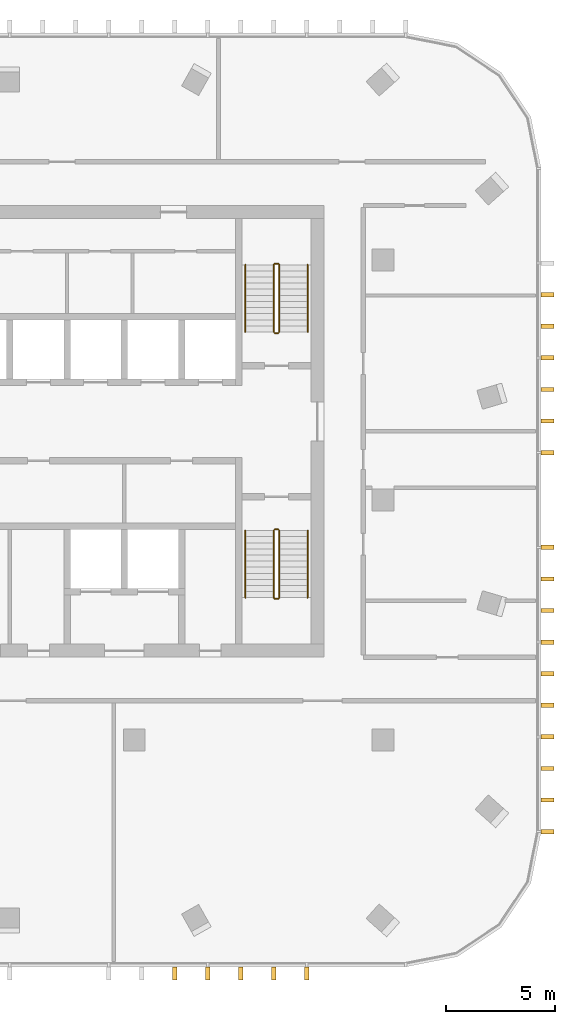
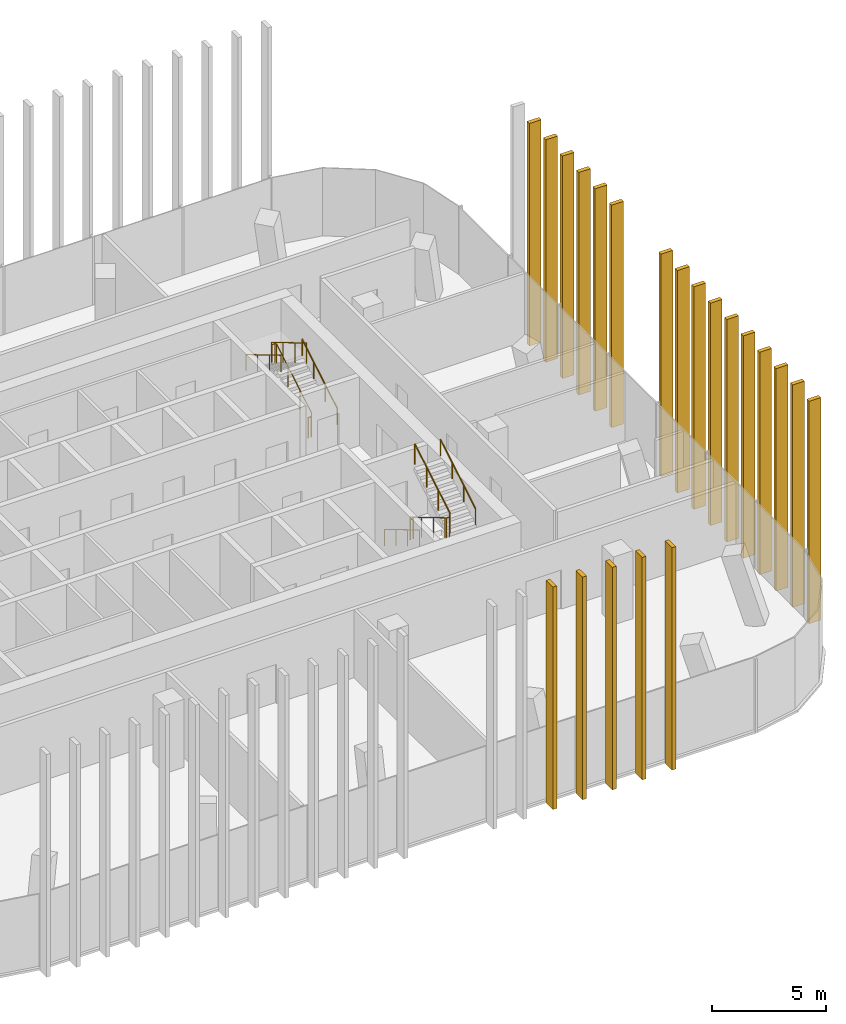
# One storey, part 12 of 13: 21 shading devices, 10 railings.
"""IFC4 building model written with IfcOpenShell, lengths in metres."""

from ifc_helpers import new_model, si_unit, direction, frame, origin, origin_2d, place, context, subcontext, project, spatial, rectangle, circle, extrude, material, type_object, element, save


model = new_model("IFC4")

# Units and contexts
model_context = context("Model", 3, precision=1e-05, world=origin(), true_north=direction((0.0, 1.0)))
body_context = subcontext(model_context, "Body", "Model", "MODEL_VIEW")
ifc_project = project(units=[si_unit("LENGTHUNIT", "METRE"), si_unit("AREAUNIT", "SQUARE_METRE"), si_unit("VOLUMEUNIT", "CUBIC_METRE"), si_unit("PLANEANGLEUNIT", "RADIAN"), si_unit("MASSUNIT", "GRAM", prefix="KILO")], contexts=[model_context])

# Site, building, storey
site_placement = place(None, origin())
site = spatial("IfcSite", under=ifc_project, at=site_placement, CompositionType="ELEMENT")
building_placement = place(site_placement, origin())
building = spatial("IfcBuilding", under=site, at=building_placement, Name="Mopane Tessera Tower", CompositionType="ELEMENT")
storey_placement = place(building_placement, frame((0.0, 0.0, 345.39990234375)))
storey = spatial("IfcBuildingStorey", under=building, at=storey_placement, Name="L75", CompositionType="ELEMENT", Elevation=345.39990234375)

# Shading devices
ifc_material_1 = material(Name="Glazed ceramic tile")
shading_device_type = type_object("IfcShadingDeviceType", Name="Ceramic tile fin 600 x 200 mm", PredefinedType="USERDEFINED", material=ifc_material_1)
for number, where, z_axis, x_axis, name in (
    (1, (7.5625, -21.699951171875, -0.35009765625), (0.0, 0.0, 1.0), (1.0, 0.0, 0.0), "e:fin:L75:S:5:2"),
    (2, (9.074951171875, -21.699951171875, -0.35009765625), (0.0, 0.0, 1.0), (1.0, 0.0, 0.0), "e:fin:L75:S:6:0"),
    (3, (10.58740234375, -21.699951171875, -0.35009765625), (0.0, 0.0, 1.0), (1.0, 0.0, 0.0), "e:fin:L75:S:6:1"),
    (4, (12.10009765625, -21.699951171875, -0.35009765625), (0.0, 0.0, 1.0), (1.0, 0.0, 0.0), "e:fin:L75:S:6:2"),
    (5, (13.612548828125, -21.699951171875, -0.35009765625), (0.0, 0.0, 1.0), (1.0, 0.0, 0.0), "e:fin:L75:S:6:3"),
    (6, (24.64990234375, -15.199951171875, -0.35009765625), (0.0, 0.0, 1.0), (0.0, 1.0, 0.0), "e:fin:L75:E:0:0"),
    (7, (24.64990234375, -13.75244140625, -0.35009765625), (0.0, 0.0, 1.0), (0.0, 1.0, 0.0), "e:fin:L75:E:0:1"),
    (8, (24.64990234375, -12.3046875, -0.35009765625), (0.0, 0.0, 1.0), (0.0, 1.0, 0.0), "e:fin:L75:E:0:2"),
    (9, (24.64990234375, -10.857177734375, -0.35009765625), (0.0, 0.0, 1.0), (0.0, 1.0, 0.0), "e:fin:L75:E:1:0"),
    (10, (24.64990234375, -9.409423828125, -0.35009765625), (0.0, 0.0, 1.0), (0.0, 1.0, 0.0), "e:fin:L75:E:1:1"),
    (11, (24.64990234375, -7.9619140625, -0.35009765625), (0.0, 0.0, 1.0), (0.0, 1.0, 0.0), "e:fin:L75:E:1:2"),
    (12, (24.64990234375, -6.514404296875, -0.35009765625), (0.0, 0.0, 1.0), (0.0, 1.0, 0.0), "e:fin:L75:E:2:0"),
    (13, (24.64990234375, -5.066650390625, -0.35009765625), (0.0, 0.0, 1.0), (0.0, 1.0, 0.0), "e:fin:L75:E:2:1"),
    (14, (24.64990234375, -3.619140625, -0.35009765625), (0.0, 0.0, 1.0), (0.0, 1.0, 0.0), "e:fin:L75:E:2:2"),
    (15, (24.64990234375, -2.17138671875, -0.35009765625), (0.0, 0.0, 1.0), (0.0, 1.0, 0.0), "e:fin:L75:E:2:3"),
    (16, (24.64990234375, 2.17138671875, -0.35009765625), (0.0, 0.0, 1.0), (0.0, 1.0, 0.0), "e:fin:L75:E:4:0"),
    (17, (24.64990234375, 3.619140625, -0.35009765625), (0.0, 0.0, 1.0), (0.0, 1.0, 0.0), "e:fin:L75:E:4:1"),
    (18, (24.64990234375, 5.066650390625, -0.35009765625), (0.0, 0.0, 1.0), (0.0, 1.0, 0.0), "e:fin:L75:E:4:2"),
    (19, (24.64990234375, 6.514404296875, -0.35009765625), (0.0, 0.0, 1.0), (0.0, 1.0, 0.0), "e:fin:L75:E:5:0"),
    (20, (24.64990234375, 7.9619140625, -0.35009765625), (0.0, 0.0, 1.0), (0.0, 1.0, 0.0), "e:fin:L75:E:5:1"),
    (21, (24.64990234375, 9.409423828125, -0.35009765625), (0.0, 0.0, 1.0), (0.0, 1.0, 0.0), "e:fin:L75:E:5:2"),
):
    element("IfcShadingDevice", number, at=place(storey_placement, frame(where, z_axis=z_axis, x_axis=x_axis)), inside=storey, type_object=shading_device_type, Name=name, ObjectType="FIN", PredefinedType="USERDEFINED", context=body_context, shape_type="SweptSolid", body=[
        extrude(rectangle(XDim=0.199951171875, YDim=0.60009765625, at=origin_2d()), origin(), (0.0, 0.0, 1.0), 11.949951171875),
    ])

# Railings
ifc_material_2 = material(Name="Powder-coated steel balustrade", Category="steel")
railing_type_1 = type_object("IfcRailingType", Name="Escape stair guard 1100 mm", PredefinedType="GUARDRAIL", material=ifc_material_2)
railing_1_placement = place(storey_placement, frame((12.10009765625, -1.39990234375, 0.166748046875)))
element("IfcRailing", 22, at=railing_1_placement, inside=storey, type_object=railing_type_1, Name="L75 ST3 stair guard 1", PredefinedType="GUARDRAIL", context=body_context, shape_type="SweptSolid", body=[
    extrude(circle(Radius=0.02392578125, at=origin_2d()), frame((0.0, 0.0, 1.076171875), z_axis=(0.0, -0.859308565015, 0.511457515432), x_axis=(1.0, 0.0, 0.0)), (0.0, 0.0, 1.0), 3.58447265625),
    extrude(circle(Radius=0.02392578125, at=origin_2d()), frame((0.0, -3.080078125, 2.9091796875), z_axis=(0.705375805398, -0.708833529934, 0.0), x_axis=(0.708833529934, 0.705375805398, 0.0)), (0.0, 0.0, 1.0), 0.070556640625),
    extrude(circle(Radius=0.02392578125, at=origin_2d()), frame((0.0498046875, -3.130126953125, 2.9091796875), z_axis=(1.0, 0.0, 0.0), x_axis=(0.0, 1.0, 0.0)), (0.0, 0.0, 1.0), 0.150146484375),
    extrude(circle(Radius=0.02099609375, at=origin_2d()), origin(), (0.0, 0.0, 1.0), 1.052001953125),
    extrude(circle(Radius=0.02099609375, at=origin_2d()), frame((0.0, -1.026611328125, 0.611083984375)), (0.0, 0.0, 1.0), 1.052001953125),
    extrude(circle(Radius=0.02099609375, at=origin_2d()), frame((0.0, -2.053466796875, 1.22216796875)), (0.0, 0.0, 1.0), 1.052001953125),
    extrude(circle(Radius=0.02099609375, at=origin_2d()), frame((0.0, -3.080078125, 1.833251953125)), (0.0, 0.0, 1.0), 1.052001953125),
    extrude(circle(Radius=0.02099609375, at=origin_2d()), frame((0.0498046875, -3.130126953125, 1.833251953125)), (0.0, 0.0, 1.0), 1.052001953125),
    extrude(circle(Radius=0.02099609375, at=origin_2d()), frame((0.199951171875, -3.130126953125, 1.833251953125)), (0.0, 0.0, 1.0), 1.052001953125),
])
railing_2_placement = place(storey_placement, frame((12.35009765625, -4.47998046875, 2.166748046875)))
element("IfcRailing", 23, at=railing_2_placement, inside=storey, type_object=railing_type_1, Name="L75 ST3 stair guard 2", PredefinedType="GUARDRAIL", context=body_context, shape_type="SweptSolid", body=[
    extrude(circle(Radius=0.02392578125, at=origin_2d()), frame((0.0, 0.0, 1.076171875), z_axis=(0.0, 0.859308565015, 0.511457515432), x_axis=(-1.0, 0.0, 0.0)), (0.0, 0.0, 1.0), 3.58447265625),
    extrude(circle(Radius=0.02099609375, at=origin_2d()), origin(), (0.0, 0.0, 1.0), 1.052001953125),
    extrude(circle(Radius=0.02099609375, at=origin_2d()), frame((0.0, 1.026611328125, 0.611083984375)), (0.0, 0.0, 1.0), 1.052001953125),
    extrude(circle(Radius=0.02099609375, at=origin_2d()), frame((0.0, 2.053466796875, 1.22216796875)), (0.0, 0.0, 1.0), 1.052001953125),
    extrude(circle(Radius=0.02099609375, at=origin_2d()), frame((0.0, 3.080078125, 1.833251953125)), (0.0, 0.0, 1.0), 1.052001953125),
])
railing_3_placement = place(storey_placement, frame((12.14990234375, -1.35009765625, 0.0)))
element("IfcRailing", 24, at=railing_3_placement, inside=storey, type_object=railing_type_1, Name="L75 ST3 stair guard 3", PredefinedType="GUARDRAIL", context=body_context, shape_type="SweptSolid", body=[
    extrude(circle(Radius=0.02392578125, at=origin_2d()), frame((0.0, 0.0, 1.076171875), z_axis=(1.0, 0.0, 0.0), x_axis=(0.0, 1.0, 0.0)), (0.0, 0.0, 1.0), 0.150146484375),
    extrude(circle(Radius=0.02099609375, at=origin_2d()), origin(), (0.0, 0.0, 1.0), 1.052001953125),
    extrude(circle(Radius=0.02099609375, at=origin_2d()), frame((0.150146484375, 0.0, 0.0)), (0.0, 0.0, 1.0), 1.052001953125),
])
railing_4_placement = place(storey_placement, frame((12.35009765625, 7.699951171875, 0.166748046875)))
element("IfcRailing", 25, at=railing_4_placement, inside=storey, type_object=railing_type_1, Name="L75 ST4 stair guard 1", PredefinedType="GUARDRAIL", context=body_context, shape_type="SweptSolid", body=[
    extrude(circle(Radius=0.02392578125, at=origin_2d()), frame((0.0, 0.0, 1.076171875), z_axis=(0.0, 0.859308565015, 0.511457515432), x_axis=(-1.0, 0.0, 0.0)), (0.0, 0.0, 1.0), 3.58447265625),
    extrude(circle(Radius=0.02392578125, at=origin_2d()), frame((0.0, 3.080078125, 2.9091796875), z_axis=(-0.707106781187, 0.707106781187, 0.0), x_axis=(-0.707106781187, -0.707106781187, 0.0)), (0.0, 0.0, 1.0), 0.07080078125),
    extrude(circle(Radius=0.02392578125, at=origin_2d()), frame((-0.050048828125, 3.130126953125, 2.9091796875), z_axis=(-1.0, 0.0, 0.0), x_axis=(0.0, -1.0, 0.0)), (0.0, 0.0, 1.0), 0.150146484375),
    extrude(circle(Radius=0.02099609375, at=origin_2d()), origin(), (0.0, 0.0, 1.0), 1.052001953125),
    extrude(circle(Radius=0.02099609375, at=origin_2d()), frame((0.0, 1.026611328125, 0.611083984375)), (0.0, 0.0, 1.0), 1.052001953125),
    extrude(circle(Radius=0.02099609375, at=origin_2d()), frame((0.0, 2.053466796875, 1.22216796875)), (0.0, 0.0, 1.0), 1.052001953125),
    extrude(circle(Radius=0.02099609375, at=origin_2d()), frame((0.0, 3.080078125, 1.833251953125)), (0.0, 0.0, 1.0), 1.052001953125),
    extrude(circle(Radius=0.02099609375, at=origin_2d()), frame((-0.050048828125, 3.130126953125, 1.833251953125)), (0.0, 0.0, 1.0), 1.052001953125),
    extrude(circle(Radius=0.02099609375, at=origin_2d()), frame((-0.2001953125, 3.130126953125, 1.833251953125)), (0.0, 0.0, 1.0), 1.052001953125),
])
railing_5_placement = place(storey_placement, frame((12.10009765625, 10.780029296875, 2.166748046875)))
element("IfcRailing", 26, at=railing_5_placement, inside=storey, type_object=railing_type_1, Name="L75 ST4 stair guard 2", PredefinedType="GUARDRAIL", context=body_context, shape_type="SweptSolid", body=[
    extrude(circle(Radius=0.02392578125, at=origin_2d()), frame((0.0, 0.0, 1.076171875), z_axis=(0.0, -0.859308565015, 0.511457515432), x_axis=(1.0, 0.0, 0.0)), (0.0, 0.0, 1.0), 3.58447265625),
    extrude(circle(Radius=0.02099609375, at=origin_2d()), origin(), (0.0, 0.0, 1.0), 1.052001953125),
    extrude(circle(Radius=0.02099609375, at=origin_2d()), frame((0.0, -1.026611328125, 0.611083984375)), (0.0, 0.0, 1.0), 1.052001953125),
    extrude(circle(Radius=0.02099609375, at=origin_2d()), frame((0.0, -2.053466796875, 1.22216796875)), (0.0, 0.0, 1.0), 1.052001953125),
    extrude(circle(Radius=0.02099609375, at=origin_2d()), frame((0.0, -3.080078125, 1.833251953125)), (0.0, 0.0, 1.0), 1.052001953125),
])
railing_6_placement = place(storey_placement, frame((12.300048828125, 7.64990234375, 0.0)))
element("IfcRailing", 27, at=railing_6_placement, inside=storey, type_object=railing_type_1, Name="L75 ST4 stair guard 3", PredefinedType="GUARDRAIL", context=body_context, shape_type="SweptSolid", body=[
    extrude(circle(Radius=0.02392578125, at=origin_2d()), frame((0.0, 0.0, 1.076171875), z_axis=(-1.0, 0.0, 0.0), x_axis=(0.0, -1.0, 0.0)), (0.0, 0.0, 1.0), 0.150146484375),
    extrude(circle(Radius=0.02099609375, at=origin_2d()), origin(), (0.0, 0.0, 1.0), 1.052001953125),
    extrude(circle(Radius=0.02099609375, at=origin_2d()), frame((-0.150146484375, 0.0, 0.0)), (0.0, 0.0, 1.0), 1.052001953125),
])
ifc_material_3 = material(Name="Powder-coated steel balustrade", Category="steel")
railing_type_2 = type_object("IfcRailingType", Name="Escape stair handrail 900 mm", PredefinedType="HANDRAIL", material=ifc_material_3)
railing_7_placement = place(storey_placement, frame((10.800048828125, -1.39990234375, 0.166748046875)))
element("IfcRailing", 28, at=railing_7_placement, inside=storey, type_object=railing_type_2, Name="L75 ST3 stair handrail 1", PredefinedType="HANDRAIL", context=body_context, shape_type="SweptSolid", body=[
    extrude(circle(Radius=0.02392578125, at=origin_2d()), frame((0.0, 0.0, 0.8759765625), z_axis=(0.0, -0.859308565015, 0.511457515432), x_axis=(1.0, 0.0, 0.0)), (0.0, 0.0, 1.0), 3.58447265625),
    extrude(circle(Radius=0.02099609375, at=origin_2d()), origin(), (0.0, 0.0, 1.0), 0.851806640625),
    extrude(circle(Radius=0.02099609375, at=origin_2d()), frame((0.0, -1.026611328125, 0.611083984375)), (0.0, 0.0, 1.0), 0.851806640625),
    extrude(circle(Radius=0.02099609375, at=origin_2d()), frame((0.0, -2.053466796875, 1.22216796875)), (0.0, 0.0, 1.0), 0.851806640625),
    extrude(circle(Radius=0.02099609375, at=origin_2d()), frame((0.0, -3.080078125, 1.833251953125)), (0.0, 0.0, 1.0), 0.851806640625),
])
for number, where, name in (
    (29, (13.64990234375, -4.47998046875, 2.166748046875), "L75 ST3 stair handrail 2"),
    (30, (13.64990234375, 7.699951171875, 0.166748046875), "L75 ST4 stair handrail 1"),
):
    element("IfcRailing", number, at=place(storey_placement, frame(where)), inside=storey, type_object=railing_type_2, Name=name, PredefinedType="HANDRAIL", context=body_context, shape_type="SweptSolid", body=[
        extrude(circle(Radius=0.02392578125, at=origin_2d()), frame((0.0, 0.0, 0.8759765625), z_axis=(0.0, 0.859308565015, 0.511457515432), x_axis=(-1.0, 0.0, 0.0)), (0.0, 0.0, 1.0), 3.58447265625),
        extrude(circle(Radius=0.02099609375, at=origin_2d()), origin(), (0.0, 0.0, 1.0), 0.851806640625),
        extrude(circle(Radius=0.02099609375, at=origin_2d()), frame((0.0, 1.026611328125, 0.611083984375)), (0.0, 0.0, 1.0), 0.851806640625),
        extrude(circle(Radius=0.02099609375, at=origin_2d()), frame((0.0, 2.053466796875, 1.22216796875)), (0.0, 0.0, 1.0), 0.851806640625),
        extrude(circle(Radius=0.02099609375, at=origin_2d()), frame((0.0, 3.080078125, 1.833251953125)), (0.0, 0.0, 1.0), 0.851806640625),
    ])
railing_8_placement = place(storey_placement, frame((10.800048828125, 10.780029296875, 2.166748046875)))
element("IfcRailing", 31, at=railing_8_placement, inside=storey, type_object=railing_type_2, Name="L75 ST4 stair handrail 2", PredefinedType="HANDRAIL", context=body_context, shape_type="SweptSolid", body=[
    extrude(circle(Radius=0.02392578125, at=origin_2d()), frame((0.0, 0.0, 0.8759765625), z_axis=(0.0, -0.859308565015, 0.511457515432), x_axis=(1.0, 0.0, 0.0)), (0.0, 0.0, 1.0), 3.58447265625),
    extrude(circle(Radius=0.02099609375, at=origin_2d()), origin(), (0.0, 0.0, 1.0), 0.851806640625),
    extrude(circle(Radius=0.02099609375, at=origin_2d()), frame((0.0, -1.026611328125, 0.611083984375)), (0.0, 0.0, 1.0), 0.851806640625),
    extrude(circle(Radius=0.02099609375, at=origin_2d()), frame((0.0, -2.053466796875, 1.22216796875)), (0.0, 0.0, 1.0), 0.851806640625),
    extrude(circle(Radius=0.02099609375, at=origin_2d()), frame((0.0, -3.080078125, 1.833251953125)), (0.0, 0.0, 1.0), 0.851806640625),
])

save(model, "model.ifc")
